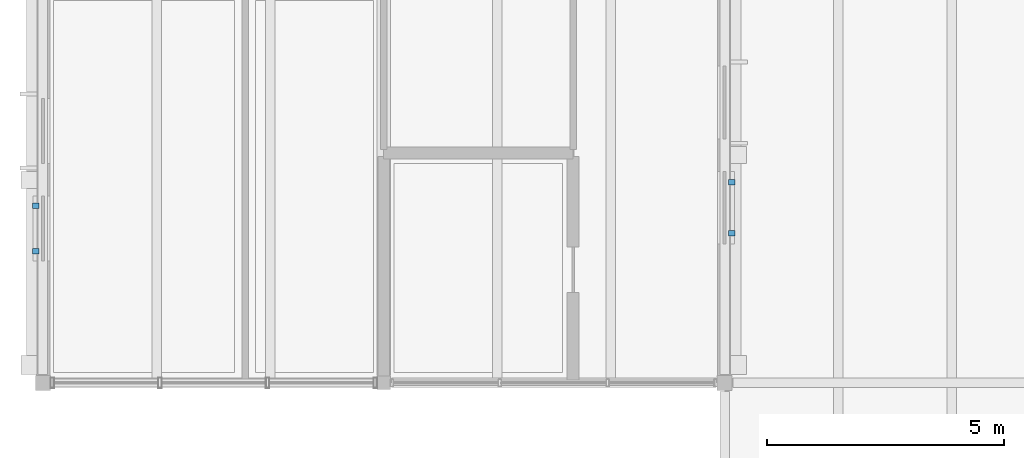
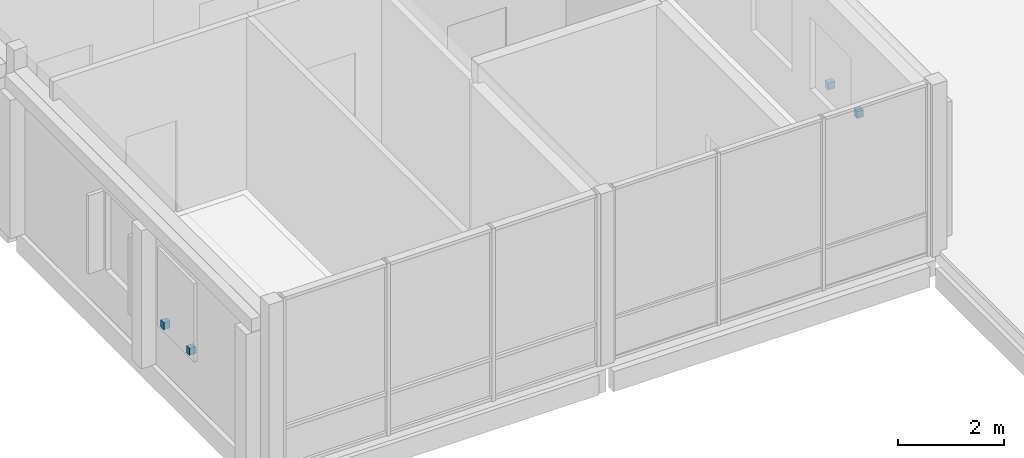
# One storey, part 45 of 57: 4 discrete accessories.
"""IFC4 building model written with IfcOpenShell, lengths in metres."""

import ifcopenshell
import ifcopenshell.guid

model = None  # the IFC model being written
_history = None  # IfcOwnerHistory: only IFC2X3 demands one
_inside = {}  # id of a spatial element -> (the spatial element, [elements in it])
_under = {}  # id of a project, library or spatial element -> (it, [spatial elements below it])
_declared = {}  # id of a project -> (the project, [libraries it declares])
_typed = {}  # id of a type object -> (the type object, [elements of that type])
_made_of = {}  # id of a material, layer set ... -> (it, [elements and type objects made of it])


def new_model(schema):
    """Start an empty IFC model of exactly this schema.

    Asked for "IFC4X3", IfcOpenShell would pick the latest addendum, in which some entities
    have other attributes; the version numbers below select the first issue.
    IFC2X3 requires an IfcOwnerHistory on every rooted entity: one is made here for all.
    """
    global model, _history
    if schema == "IFC4X3":
        model = ifcopenshell.file(schema_version=(4, 3, 0, 0))
    else:
        model = ifcopenshell.file(schema=schema)
    _inside.clear()
    _under.clear()
    _declared.clear()
    _typed.clear()
    _made_of.clear()
    _history = None
    if model.schema == "IFC2X3":
        org = make("IfcOrganization", Name="unknown")
        user = make(
            "IfcPersonAndOrganization",
            ThePerson=make("IfcPerson", FamilyName="unknown"),
            TheOrganization=org,
        )
        app = make(
            "IfcApplication",
            ApplicationDeveloper=org,
            Version="unknown",
            ApplicationFullName="unknown",
            ApplicationIdentifier="unknown",
        )
        _history = make(
            "IfcOwnerHistory",
            OwningUser=user,
            OwningApplication=app,
            ChangeAction="ADDED",
            CreationDate=0,
        )
    return model


def make(cls, **values):
    """One entity of the class cls with the attributes given. An attribute that is None is left unset."""
    return model.create_entity(
        cls, **{name: value for name, value in values.items() if value is not None}
    )


def rooted(cls, **values):
    """An entity with a GlobalId (a new one), such as an element, a storey or a relation."""
    return make(cls, GlobalId=ifcopenshell.guid.new(), OwnerHistory=_history, **values)


def si_unit(unit_type, name, prefix=None):
    """IfcSIUnit, for example si_unit("LENGTHUNIT", "METRE", prefix="MILLI")."""
    return make("IfcSIUnit", UnitType=unit_type, Prefix=prefix, Name=name)


def assignment(units):
    """IfcUnitAssignment: the units of a project."""
    return None if units is None else make("IfcUnitAssignment", Units=units)


def point(xyz):
    """IfcCartesianPoint."""
    return None if xyz is None else make("IfcCartesianPoint", Coordinates=xyz)


def direction(xyz):
    """IfcDirection."""
    return None if xyz is None else make("IfcDirection", DirectionRatios=xyz)


def frame(location, z_axis=None, x_axis=None):
    """IfcAxis2Placement3D, a coordinate frame: its origin and axes. An axis left out is left unset."""
    return make(
        "IfcAxis2Placement3D",
        Location=point(location),
        Axis=direction(z_axis),
        RefDirection=direction(x_axis),
    )


def frame_2d(location, x_axis=None):
    """IfcAxis2Placement2D, a coordinate frame in the plane: its origin and x axis."""
    return make(
        "IfcAxis2Placement2D", Location=point(location), RefDirection=direction(x_axis)
    )


def origin():
    """The frame at (0, 0, 0) with its axes left unset."""
    return frame((0.0, 0.0, 0.0))


def origin_2d():
    """The frame at (0, 0) in the plane with its x axis left unset."""
    return frame_2d((0.0, 0.0))


def place(relative_to, where):
    """IfcLocalPlacement: puts the frame where relative to a parent placement (None: the world)."""
    return make(
        "IfcLocalPlacement", PlacementRelTo=relative_to, RelativePlacement=where
    )


def context(
    kind, dimensions, precision=None, world=None, true_north=None, identifier=None
):
    """IfcGeometricRepresentationContext, for example the 3D "Model" context."""
    return make(
        "IfcGeometricRepresentationContext",
        ContextIdentifier=identifier,
        ContextType=kind,
        CoordinateSpaceDimension=dimensions,
        Precision=precision,
        WorldCoordinateSystem=world,
        TrueNorth=true_north,
    )


def subcontext(parent, identifier, kind, view, scale=None):
    """IfcGeometricRepresentationSubContext, for example "Body" below "Model"."""
    return make(
        "IfcGeometricRepresentationSubContext",
        ContextIdentifier=identifier,
        ContextType=kind,
        ParentContext=parent,
        TargetScale=scale,
        TargetView=view,
    )


def project(units=None, contexts=None):
    """IfcProject with its units and contexts."""
    return rooted(
        "IfcProject",
        Name="project",
        RepresentationContexts=contexts,
        UnitsInContext=assignment(units),
    )


def spatial(cls, under=None, at=None, **own):
    """A site, building, storey or space (cls), placed at a placement, below another one or the project."""
    s = rooted(cls, ObjectPlacement=at, **own)
    if under is not None:
        _under.setdefault(under.id(), (under, []))[1].append(s)
    return s


def profile(cls, at=None, kind="AREA", **sizes):
    """A parametric profile (cls). Its sizes go by their IFC names, for example OverallWidth=200.0."""
    return make(cls, ProfileType=kind, Position=at, **sizes)


def rectangle(**sizes):
    """IfcRectangleProfileDef."""
    return profile("IfcRectangleProfileDef", **sizes)


def extrude(swept, where, along, depth):
    """IfcExtrudedAreaSolid: the profile swept, set in the frame where, extruded along a direction by depth."""
    return make(
        "IfcExtrudedAreaSolid",
        SweptArea=swept,
        Position=where,
        ExtrudedDirection=direction(along),
        Depth=depth,
    )


def shape(context_of_items, identifier, shape_type, items):
    """IfcShapeRepresentation: the items that make up one representation, for example the "Body"."""
    return make(
        "IfcShapeRepresentation",
        ContextOfItems=context_of_items,
        RepresentationIdentifier=identifier,
        RepresentationType=shape_type,
        Items=items,
    )


def material(Name=None, Category=None):
    """IfcMaterial."""
    return make("IfcMaterial", Name=Name, Category=Category)


def made_of(thing, what):
    """Note that an element or type object is made of a material, layer set ...; save() writes the relation."""
    if what is not None:
        _made_of.setdefault(what.id(), (what, []))[1].append(thing)
    return thing


def type_object(cls, material=None, **own):
    """A type object (cls), such as IfcWallType, which elements share."""
    return made_of(rooted(cls, **own), material)


def element(
    cls,
    number,
    at=None,
    inside=None,
    cuts=None,
    type_object=None,
    material=None,
    context=None,
    identifier="Body",
    shape_type=None,
    held_by="IfcProductDefinitionShape",
    body=None,
    shapes=None,
    **own,
):
    """One element of the class cls, such as IfcWall. Its Tag is "e" and its number.

    at: its placement. inside: the storey or other place that contains it. cuts: it is an
    opening in that element (IfcRelVoidsElement). A single representation is given by context,
    identifier, shape_type and body (its items); several are given by shapes. held_by: the class
    of the entity that holds the representations. save() writes the other relations.
    """
    e = rooted(cls, Tag="e%d" % number, ObjectPlacement=at, **own)
    if body is not None:
        shapes = [shape(context, identifier, shape_type, body)]
    if shapes is not None:
        e.Representation = make(held_by, Representations=shapes)
    if inside is not None:
        _inside.setdefault(inside.id(), (inside, []))[1].append(e)
    if cuts is not None:
        rooted(
            "IfcRelVoidsElement", RelatingBuildingElement=cuts, RelatedOpeningElement=e
        )
    if type_object is not None:
        _typed.setdefault(type_object.id(), (type_object, []))[1].append(e)
    return made_of(e, material)


def aggregate(whole, parts):
    """IfcRelAggregates: a whole, such as a stair, and the parts it consists of."""
    return rooted("IfcRelAggregates", RelatingObject=whole, RelatedObjects=parts)


def save(model, path):
    """Write the relations noted so far, then the file.

    IfcRelAggregates (storeys below a building ...), IfcRelContainedInSpatialStructure (elements
    in a storey), IfcRelDefinesByType, IfcRelAssociatesMaterial and IfcRelDeclares: one each for
    every whole, place, type object, material and project.
    """
    for whole, parts in _under.values():
        aggregate(whole, parts)
    for where, things in _inside.values():
        rooted(
            "IfcRelContainedInSpatialStructure",
            RelatedElements=things,
            RelatingStructure=where,
        )
    for kind, things in _typed.values():
        rooted("IfcRelDefinesByType", RelatedObjects=things, RelatingType=kind)
    for what, things in _made_of.values():
        rooted("IfcRelAssociatesMaterial", RelatedObjects=things, RelatingMaterial=what)
    for by, libraries in _declared.values():
        rooted("IfcRelDeclares", RelatingContext=by, RelatedDefinitions=libraries)
    model.write(path)


model = new_model("IFC4")

# Units and contexts
model_context = context("Model", 3, precision=1e-05, world=origin(), true_north=direction((0.0, 1.0)))
body_context = subcontext(model_context, "Body", "Model", "MODEL_VIEW")
ifc_project = project(units=[si_unit("LENGTHUNIT", "METRE"), si_unit("AREAUNIT", "SQUARE_METRE"), si_unit("VOLUMEUNIT", "CUBIC_METRE"), si_unit("PLANEANGLEUNIT", "RADIAN"), si_unit("MASSUNIT", "GRAM", prefix="KILO")], contexts=[model_context])

# Site, building, storey
site_placement = place(None, origin())
site = spatial("IfcSite", under=ifc_project, at=site_placement, CompositionType="ELEMENT")
building_placement = place(site_placement, origin())
building = spatial("IfcBuilding", under=site, at=building_placement, Name="Hawrajan Terrace Health Centre", CompositionType="ELEMENT")
storey_placement = place(building_placement, frame((0.0, 0.0, 13.199951171875)))
storey = spatial("IfcBuildingStorey", under=building, at=storey_placement, Name="L03", CompositionType="ELEMENT", Elevation=13.199951171875)

# Discrete accessories
ifc_material = material(Name="Steel S355", Category="steel")
discrete_accessory_type = type_object("IfcDiscreteAccessoryType", Name="FacadeBracket_S355", PredefinedType="BRACKET", material=ifc_material)
for number, where, z_axis, x_axis, name in (
    (1, (4.445068359375, 29.97705078125, 1.0703125), (0.0, 0.0, 1.0), (0.0, 1.0, 0.0), "Roshan support bracket BRK-L03-202-1"),
    (2, (4.445068359375, 30.943115234375, 1.0703125), (0.0, 0.0, 1.0), (0.0, 1.0, 0.0), "Roshan support bracket BRK-L03-202-2"),
    (3, (19.155029296875, 30.361083984375, 1.1201171875), (0.0, 0.0, 1.0), (0.0, 1.0, 0.0), "Roshan support bracket BRK-L03-214-1"),
    (4, (19.155029296875, 31.43896484375, 1.1201171875), (0.0, 0.0, 1.0), (0.0, 1.0, 0.0), "Roshan support bracket BRK-L03-214-2"),
):
    element("IfcDiscreteAccessory", number, at=place(storey_placement, frame(where, z_axis=z_axis, x_axis=x_axis)), inside=storey, type_object=discrete_accessory_type, Name=name, PredefinedType="BRACKET", context=body_context, shape_type="SweptSolid", body=[
        extrude(rectangle(XDim=0.1201171875, YDim=0.139892578125, at=origin_2d()), origin(), (0.0, 0.0, 1.0), 0.159912109375),
    ])

save(model, "model.ifc")
